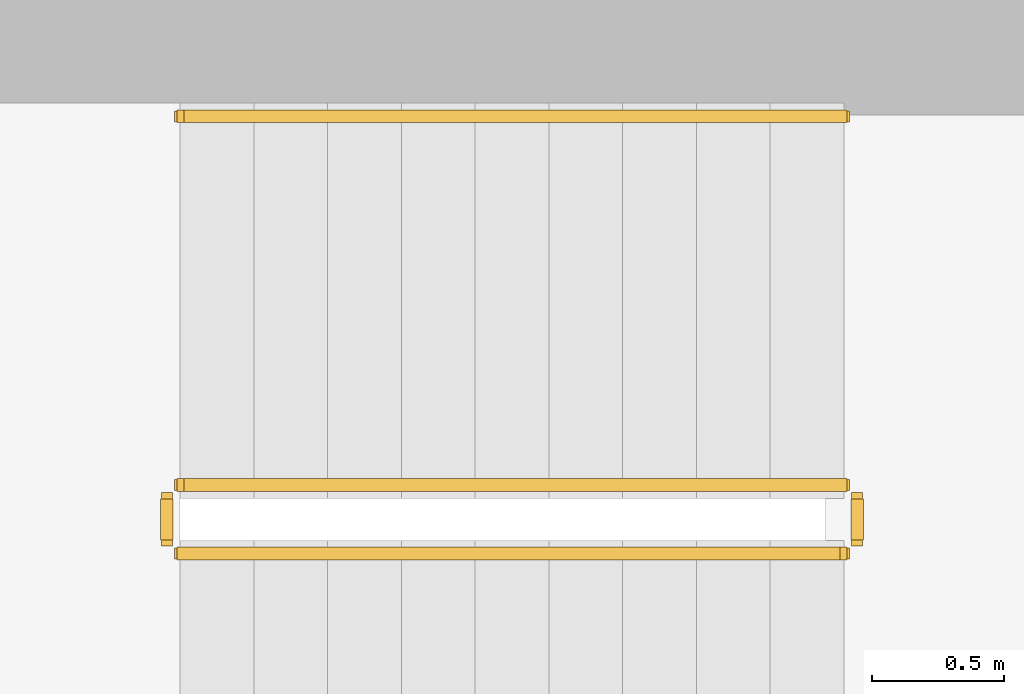
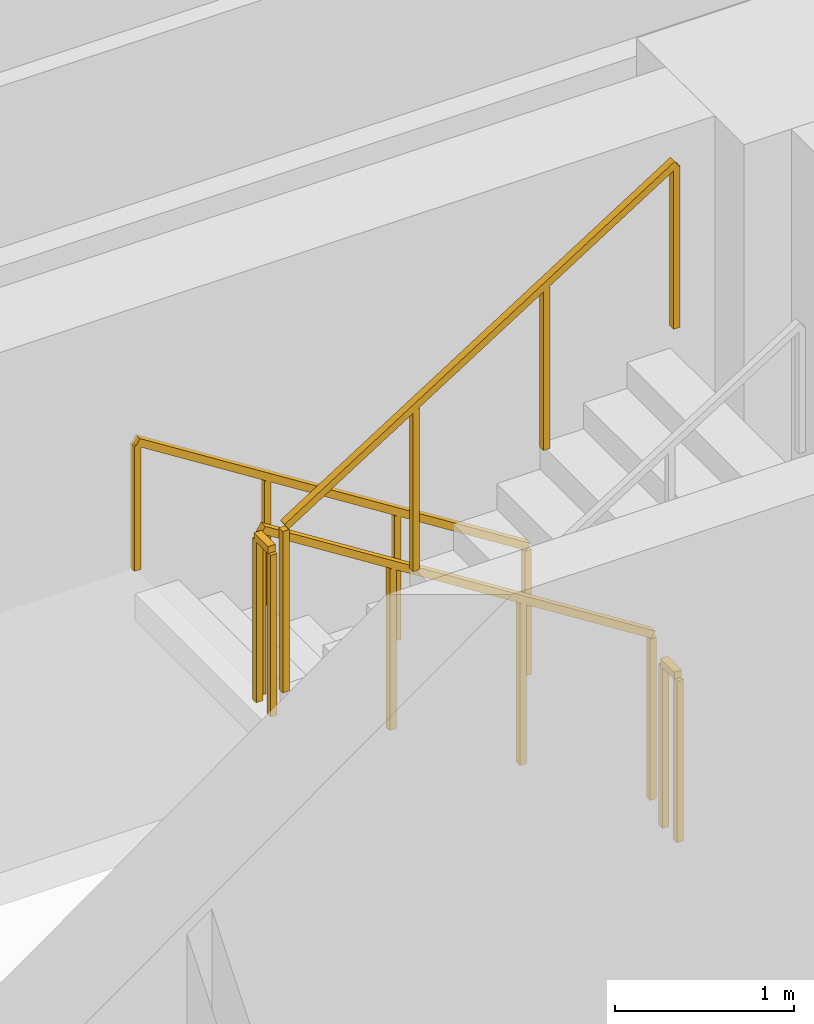
# One storey, part 12 of 13: 5 railings.
"""IFC4 building model written with IfcOpenShell, lengths in metres."""

from ifc_helpers import new_model, si_unit, direction, frame, origin, origin_2d, place, context, subcontext, project, spatial, rectangle, extrude, material, type_object, element, save


model = new_model("IFC4")

# Units and contexts
model_context = context("Model", 3, precision=1e-05, world=origin(), true_north=direction((0.0, 1.0)))
body_context = subcontext(model_context, "Body", "Model", "MODEL_VIEW")
ifc_project = project(units=[si_unit("LENGTHUNIT", "METRE"), si_unit("AREAUNIT", "SQUARE_METRE"), si_unit("VOLUMEUNIT", "CUBIC_METRE"), si_unit("PLANEANGLEUNIT", "RADIAN"), si_unit("MASSUNIT", "GRAM", prefix="KILO")], contexts=[model_context])

# Site, building, storey
site_placement = place(None, origin())
site = spatial("IfcSite", under=ifc_project, at=site_placement, CompositionType="ELEMENT")
building_placement = place(site_placement, origin())
building = spatial("IfcBuilding", under=site, at=building_placement, Name="Zarnavel Station Tower", CompositionType="ELEMENT")
storey_placement = place(building_placement, frame((0.0, 0.0, 148.35009765625)))
storey = spatial("IfcBuildingStorey", under=building, at=storey_placement, Name="L40", CompositionType="ELEMENT", Elevation=148.35009765625)

# Railings
ifc_material_1 = material(Name="Painted Steel S355J2 Balustrade", Category="steel")
railing_type_1 = type_object("IfcRailingType", Name="GR_INT_1150", PredefinedType="GUARDRAIL", material=ifc_material_1)
railing_1_placement = place(storey_placement, frame((19.47998046875, 35.3701171875, 0.177490234375)))
element("IfcRailing", 1, at=railing_1_placement, inside=storey, type_object=railing_type_1, Name="L40 ST1 stair guard 1", PredefinedType="GUARDRAIL", context=body_context, shape_type="SweptSolid", body=[
    extrude(rectangle(XDim=0.048095703125, YDim=0.048095703125, at=origin_2d()), frame((-0.001708984375, 0.0, 1.126953125), z_axis=(-0.84460694969, 0.0, 0.535386869969), x_axis=(0.0, -1.0, 0.0)), (0.0, 0.0, 1.0), 2.979736328125),
    extrude(rectangle(XDim=0.0419921875, YDim=0.0419921875, at=origin_2d()), origin(), (0.0, 0.0, 1.0), 1.101806640625),
    extrude(rectangle(XDim=0.0419921875, YDim=0.0419921875, at=origin_2d()), frame((-0.840087890625, 0.0, 0.532470703125)), (0.0, 0.0, 1.0), 1.101806640625),
    extrude(rectangle(XDim=0.0419921875, YDim=0.0419921875, at=origin_2d()), frame((-1.679931640625, 0.0, 1.06494140625)), (0.0, 0.0, 1.0), 1.101806640625),
    extrude(rectangle(XDim=0.0419921875, YDim=0.0419921875, at=origin_2d()), frame((-2.52001953125, 0.0, 1.597412109375)), (0.0, 0.0, 1.0), 1.101806640625),
])
railing_2_placement = place(storey_placement, frame((16.909912109375, 35.320068359375, 1.77490234375)))
element("IfcRailing", 2, at=railing_2_placement, inside=storey, type_object=railing_type_1, Name="L40 ST1 stair guard 2", PredefinedType="GUARDRAIL", context=body_context, shape_type="SweptSolid", body=[
    extrude(rectangle(XDim=0.048095703125, YDim=0.048095703125, at=origin_2d()), frame((0.0, -0.001953125, 1.1259765625), z_axis=(0.0, -1.0, 0.0), x_axis=(1.0, 0.0, 0.0)), (0.0, 0.0, 1.0), 0.15625),
    extrude(rectangle(XDim=0.0419921875, YDim=0.0419921875, at=origin_2d()), origin(), (0.0, 0.0, 1.0), 1.101806640625),
    extrude(rectangle(XDim=0.0419921875, YDim=0.0419921875, at=origin_2d()), frame((0.0, -0.16015625, 0.0)), (0.0, 0.0, 1.0), 1.101806640625),
])
railing_3_placement = place(storey_placement, frame((16.9599609375, 35.110107421875, 1.952392578125)))
element("IfcRailing", 3, at=railing_3_placement, inside=storey, type_object=railing_type_1, Name="L40 ST1 stair guard 3", PredefinedType="GUARDRAIL", context=body_context, shape_type="SweptSolid", body=[
    extrude(rectangle(XDim=0.048095703125, YDim=0.048095703125, at=origin_2d()), frame((0.001708984375, 0.0, 1.126953125), z_axis=(0.84460694969, 0.0, 0.535386869969), x_axis=(0.0, 1.0, 0.0)), (0.0, 0.0, 1.0), 2.979736328125),
    extrude(rectangle(XDim=0.0419921875, YDim=0.0419921875, at=origin_2d()), origin(), (0.0, 0.0, 1.0), 1.101806640625),
    extrude(rectangle(XDim=0.0419921875, YDim=0.0419921875, at=origin_2d()), frame((0.840087890625, 0.0, 0.532470703125)), (0.0, 0.0, 1.0), 1.101806640625),
    extrude(rectangle(XDim=0.0419921875, YDim=0.0419921875, at=origin_2d()), frame((1.679931640625, 0.0, 1.06494140625)), (0.0, 0.0, 1.0), 1.101806640625),
    extrude(rectangle(XDim=0.0419921875, YDim=0.0419921875, at=origin_2d()), frame((2.52001953125, 0.0, 1.597412109375)), (0.0, 0.0, 1.0), 1.101806640625),
])
railing_4_placement = place(storey_placement, frame((19.530029296875, 35.320068359375, 0.0)))
element("IfcRailing", 4, at=railing_4_placement, inside=storey, type_object=railing_type_1, Name="L40 ST1 stair guard 4", PredefinedType="GUARDRAIL", context=body_context, shape_type="SweptSolid", body=[
    extrude(rectangle(XDim=0.048095703125, YDim=0.048095703125, at=origin_2d()), frame((0.0, -0.001953125, 1.1259765625), z_axis=(0.0, -1.0, 0.0), x_axis=(1.0, 0.0, 0.0)), (0.0, 0.0, 1.0), 0.15625),
    extrude(rectangle(XDim=0.0419921875, YDim=0.0419921875, at=origin_2d()), origin(), (0.0, 0.0, 1.0), 1.101806640625),
    extrude(rectangle(XDim=0.0419921875, YDim=0.0419921875, at=origin_2d()), frame((0.0, -0.16015625, 0.0)), (0.0, 0.0, 1.0), 1.101806640625),
])
ifc_material_2 = material(Name="Brushed Stainless Steel S355J2 Handrail", Category="steel")
railing_type_2 = type_object("IfcRailingType", Name="HR_STAIR_900", PredefinedType="HANDRAIL", material=ifc_material_2)
railing_5_placement = place(storey_placement, frame((19.47998046875, 36.77001953125, 0.177490234375)))
element("IfcRailing", 5, at=railing_5_placement, inside=storey, type_object=railing_type_2, Name="L40 ST1 stair handrail 1", PredefinedType="HANDRAIL", context=body_context, shape_type="SweptSolid", body=[
    extrude(rectangle(XDim=0.048095703125, YDim=0.048095703125, at=origin_2d()), frame((-0.001708984375, 0.0, 0.876953125), z_axis=(-0.84460694969, 0.0, 0.535386869969), x_axis=(0.0, -1.0, 0.0)), (0.0, 0.0, 1.0), 2.979736328125),
    extrude(rectangle(XDim=0.0419921875, YDim=0.0419921875, at=origin_2d()), origin(), (0.0, 0.0, 1.0), 0.851806640625),
    extrude(rectangle(XDim=0.0419921875, YDim=0.0419921875, at=origin_2d()), frame((-0.840087890625, 0.0, 0.532470703125)), (0.0, 0.0, 1.0), 0.851806640625),
    extrude(rectangle(XDim=0.0419921875, YDim=0.0419921875, at=origin_2d()), frame((-1.679931640625, 0.0, 1.06494140625)), (0.0, 0.0, 1.0), 0.851806640625),
    extrude(rectangle(XDim=0.0419921875, YDim=0.0419921875, at=origin_2d()), frame((-2.52001953125, 0.0, 1.597412109375)), (0.0, 0.0, 1.0), 0.851806640625),
])

save(model, "model.ifc")
